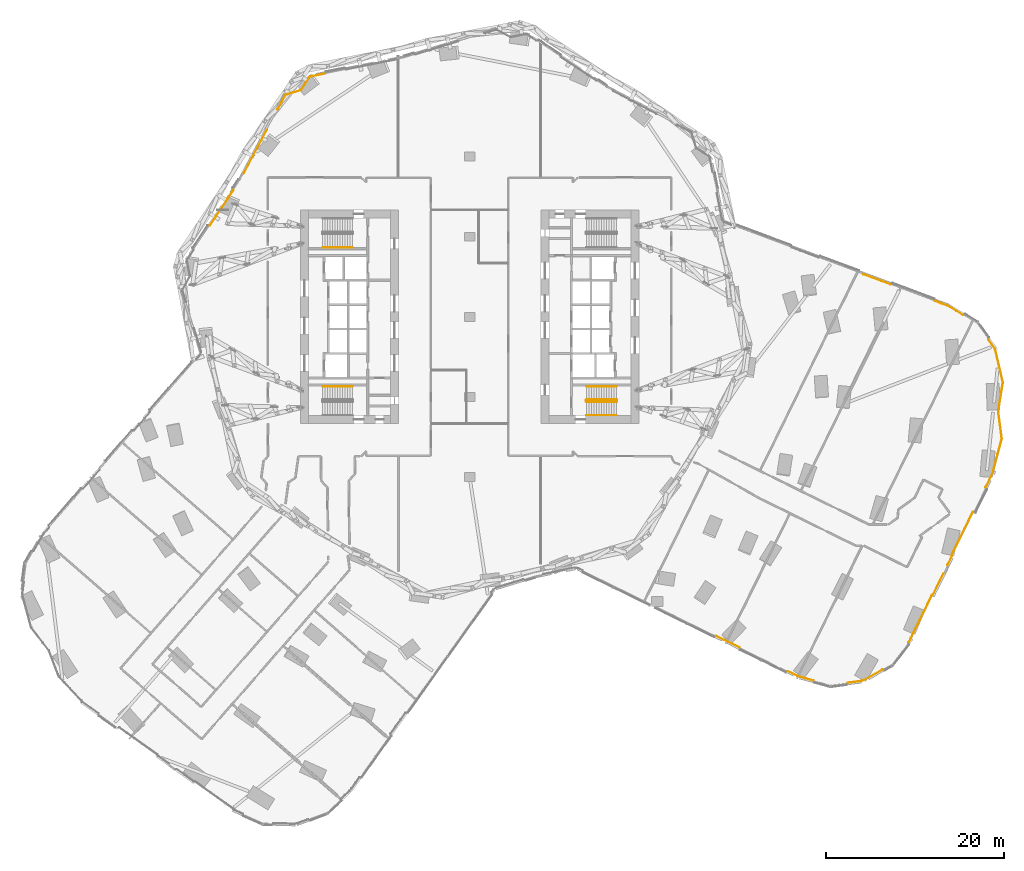
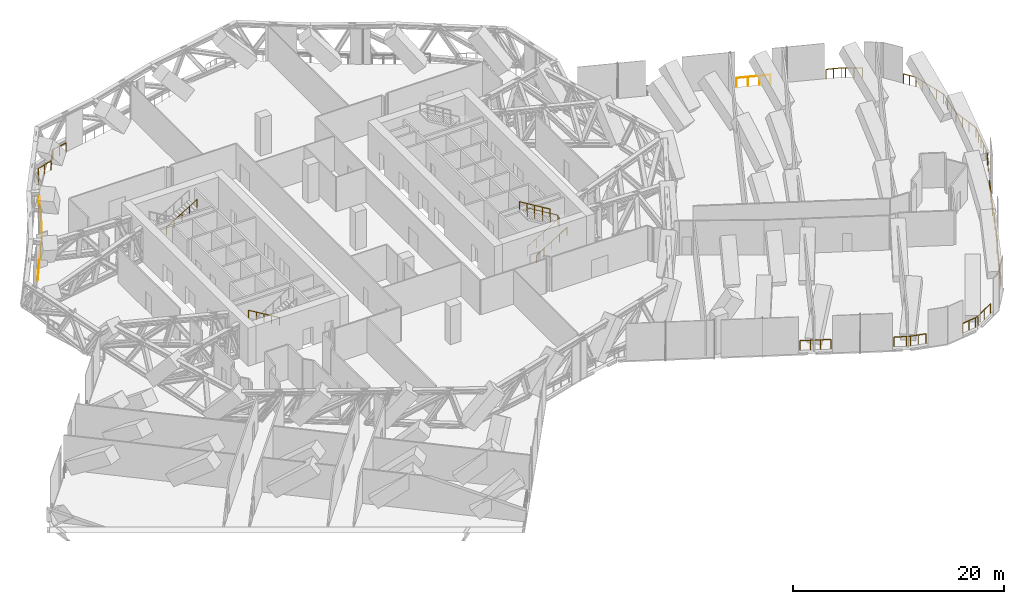
# One storey, part 33 of 34: 18 railings.
"""IFC4 building model written with IfcOpenShell, lengths in metres."""

from ifc_helpers import new_model, si_unit, direction, frame, origin, origin_2d, place, context, subcontext, project, spatial, circle, extrude, material, type_object, element, save


model = new_model("IFC4")

# Units and contexts
model_context = context("Model", 3, precision=1e-05, world=origin(), true_north=direction((0.0, 1.0)))
body_context = subcontext(model_context, "Body", "Model", "MODEL_VIEW")
ifc_project = project(units=[si_unit("LENGTHUNIT", "METRE"), si_unit("AREAUNIT", "SQUARE_METRE"), si_unit("VOLUMEUNIT", "CUBIC_METRE"), si_unit("PLANEANGLEUNIT", "RADIAN"), si_unit("MASSUNIT", "GRAM", prefix="KILO")], contexts=[model_context])

# Site, building, storey
site_placement = place(None, origin())
site = spatial("IfcSite", under=ifc_project, at=site_placement, CompositionType="ELEMENT")
building_placement = place(site_placement, origin())
building = spatial("IfcBuilding", under=site, at=building_placement, Name="Orlundy Tower", CompositionType="ELEMENT")
storey_placement = place(building_placement, frame((0.0, 0.0, 76.300048828125)))
storey = spatial("IfcBuildingStorey", under=building, at=storey_placement, Name="L18", CompositionType="ELEMENT", Elevation=76.300048828125)

# Railings
ifc_material_1 = material(Name="Steel balustrade", Category="steel")
railing_type_1 = type_object("IfcRailingType", Name="Stair Guard 1100", PredefinedType="GUARDRAIL", material=ifc_material_1)
railing_1_placement = place(storey_placement, frame((13.090087890625, -9.5, 0.0)))
element("IfcRailing", 1, at=railing_1_placement, inside=storey, type_object=railing_type_1, Name="L18 ST-E1 stair guard 1", PredefinedType="GUARDRAIL", context=body_context, shape_type="SweptSolid", body=[
    extrude(circle(Radius=0.02392578125, at=origin_2d()), frame((0.0, 0.0, 1.076171875), z_axis=(0.0, 1.0, 0.0), x_axis=(-1.0, 0.0, 0.0)), (0.0, 0.0, 1.0), 0.14990234375),
    extrude(circle(Radius=0.02392578125, at=origin_2d()), frame((0.0, 0.14990234375, 1.076171875), z_axis=(0.186800498525, -0.749949060256, 0.634572281755), x_axis=(0.970351222016, 0.241699205484, 0.0)), (0.0, 0.0, 1.0), 0.2666015625),
    extrude(circle(Radius=0.02392578125, at=origin_2d()), frame((0.0498046875, -0.050048828125, 1.2451171875), z_axis=(0.855836976705, 0.0, 0.517245656632), x_axis=(0.0, 1.0, 0.0)), (0.0, 0.0, 1.0), 3.926025390625),
    extrude(circle(Radius=0.02392578125, at=origin_2d()), frame((3.409912109375, -0.050048828125, 3.27587890625), z_axis=(0.707106781187, 0.707106781187, 0.0), x_axis=(-0.707106781187, 0.707106781187, 0.0)), (0.0, 0.0, 1.0), 0.07080078125),
    extrude(circle(Radius=0.02392578125, at=origin_2d()), frame((3.4599609375, 0.0, 3.27587890625), z_axis=(0.0, 1.0, 0.0), x_axis=(-1.0, 0.0, 0.0)), (0.0, 0.0, 1.0), 0.14990234375),
    extrude(circle(Radius=0.02392578125, at=origin_2d()), frame((3.4599609375, 0.14990234375, 3.27587890625), z_axis=(-0.272897288611, 0.272897288611, 0.922525956132), x_axis=(-0.707106781187, -0.707106781187, 0.0)), (0.0, 0.0, 1.0), 0.183349609375),
    extrude(circle(Radius=0.02392578125, at=origin_2d()), frame((3.409912109375, 0.199951171875, 3.4453125), z_axis=(-0.855836976705, 0.0, 0.517245656632), x_axis=(0.0, -1.0, 0.0)), (0.0, 0.0, 1.0), 3.926025390625),
    extrude(circle(Radius=0.02099609375, at=origin_2d()), origin(), (0.0, 0.0, 1.0), 1.052001953125),
    extrude(circle(Radius=0.02099609375, at=origin_2d()), frame((0.0, 0.14990234375, 0.0)), (0.0, 0.0, 1.0), 1.052001953125),
    extrude(circle(Radius=0.02099609375, at=origin_2d()), frame((0.0498046875, -0.050048828125, 0.169189453125)), (0.0, 0.0, 1.0), 1.052001953125),
    extrude(circle(Radius=0.02099609375, at=origin_2d()), frame((0.889892578125, -0.050048828125, 0.6767578125)), (0.0, 0.0, 1.0), 1.052001953125),
    extrude(circle(Radius=0.02099609375, at=origin_2d()), frame((1.72998046875, -0.050048828125, 1.1845703125)), (0.0, 0.0, 1.0), 1.052001953125),
    extrude(circle(Radius=0.02099609375, at=origin_2d()), frame((2.56982421875, -0.050048828125, 1.6923828125)), (0.0, 0.0, 1.0), 1.052001953125),
    extrude(circle(Radius=0.02099609375, at=origin_2d()), frame((3.409912109375, -0.050048828125, 2.199951171875)), (0.0, 0.0, 1.0), 1.052001953125),
    extrude(circle(Radius=0.02099609375, at=origin_2d()), frame((3.4599609375, 0.0, 2.199951171875)), (0.0, 0.0, 1.0), 1.052001953125),
    extrude(circle(Radius=0.02099609375, at=origin_2d()), frame((3.4599609375, 0.14990234375, 2.199951171875)), (0.0, 0.0, 1.0), 1.052001953125),
    extrude(circle(Radius=0.02099609375, at=origin_2d()), frame((3.409912109375, 0.199951171875, 2.369140625)), (0.0, 0.0, 1.0), 1.052001953125),
    extrude(circle(Radius=0.02099609375, at=origin_2d()), frame((2.56982421875, 0.199951171875, 2.876953125)), (0.0, 0.0, 1.0), 1.052001953125),
    extrude(circle(Radius=0.02099609375, at=origin_2d()), frame((1.72998046875, 0.199951171875, 3.384521484375)), (0.0, 0.0, 1.0), 1.052001953125),
    extrude(circle(Radius=0.02099609375, at=origin_2d()), frame((0.889892578125, 0.199951171875, 3.89208984375)), (0.0, 0.0, 1.0), 1.052001953125),
    extrude(circle(Radius=0.02099609375, at=origin_2d()), frame((0.0498046875, 0.199951171875, 4.39990234375)), (0.0, 0.0, 1.0), 1.052001953125),
])
ifc_material_2 = material(Name="Steel handrail", Category="steel")
railing_type_2 = type_object("IfcRailingType", Name="Stair Handrail 900", PredefinedType="HANDRAIL", material=ifc_material_2)
railing_2_placement = place(storey_placement, frame((-16.5, 7.800048828125, 2.369140625)))
element("IfcRailing", 2, at=railing_2_placement, inside=storey, type_object=railing_type_2, Name="L18 ST-W1 stair handrail 2", PredefinedType="HANDRAIL", context=body_context, shape_type="SweptSolid", body=[
    extrude(circle(Radius=0.02392578125, at=origin_2d()), frame((0.0, 0.0, 0.8759765625), z_axis=(0.855836976705, 0.0, 0.517245656632), x_axis=(0.0, 1.0, 0.0)), (0.0, 0.0, 1.0), 3.926025390625),
    extrude(circle(Radius=0.02099609375, at=origin_2d()), origin(), (0.0, 0.0, 1.0), 0.851806640625),
    extrude(circle(Radius=0.02099609375, at=origin_2d()), frame((0.840087890625, 0.0, 0.5078125)), (0.0, 0.0, 1.0), 0.851806640625),
    extrude(circle(Radius=0.02099609375, at=origin_2d()), frame((1.68017578125, 0.0, 1.015380859375)), (0.0, 0.0, 1.0), 0.851806640625),
    extrude(circle(Radius=0.02099609375, at=origin_2d()), frame((2.52001953125, 0.0, 1.52294921875)), (0.0, 0.0, 1.0), 0.851806640625),
    extrude(circle(Radius=0.02099609375, at=origin_2d()), frame((3.360107421875, 0.0, 2.03076171875)), (0.0, 0.0, 1.0), 0.851806640625),
])
railing_3_placement = place(storey_placement, frame((-13.139892578125, -7.800048828125, 0.169189453125)))
element("IfcRailing", 3, at=railing_3_placement, inside=storey, type_object=railing_type_2, Name="L18 ST-W2 stair handrail 1", PredefinedType="HANDRAIL", context=body_context, shape_type="SweptSolid", body=[
    extrude(circle(Radius=0.02392578125, at=origin_2d()), frame((0.0, 0.0, 0.8759765625), z_axis=(-0.855836976705, 0.0, 0.517245656632), x_axis=(0.0, -1.0, 0.0)), (0.0, 0.0, 1.0), 3.926025390625),
    extrude(circle(Radius=0.02099609375, at=origin_2d()), origin(), (0.0, 0.0, 1.0), 0.851806640625),
    extrude(circle(Radius=0.02099609375, at=origin_2d()), frame((-0.840087890625, 0.0, 0.5078125)), (0.0, 0.0, 1.0), 0.851806640625),
    extrude(circle(Radius=0.02099609375, at=origin_2d()), frame((-1.68017578125, 0.0, 1.015380859375)), (0.0, 0.0, 1.0), 0.851806640625),
    extrude(circle(Radius=0.02099609375, at=origin_2d()), frame((-2.52001953125, 0.0, 1.52294921875)), (0.0, 0.0, 1.0), 0.851806640625),
    extrude(circle(Radius=0.02099609375, at=origin_2d()), frame((-3.360107421875, 0.0, 2.03076171875)), (0.0, 0.0, 1.0), 0.851806640625),
])
railing_4_placement = place(storey_placement, frame((13.139892578125, -11.050048828125, 0.169189453125)))
element("IfcRailing", 4, at=railing_4_placement, inside=storey, type_object=railing_type_2, Name="L18 ST-E1 stair handrail 1", PredefinedType="HANDRAIL", context=body_context, shape_type="SweptSolid", body=[
    extrude(circle(Radius=0.02392578125, at=origin_2d()), frame((0.0, 0.0, 0.8759765625), z_axis=(0.855836976705, 0.0, 0.517245656632), x_axis=(0.0, 1.0, 0.0)), (0.0, 0.0, 1.0), 3.926025390625),
    extrude(circle(Radius=0.02099609375, at=origin_2d()), origin(), (0.0, 0.0, 1.0), 0.851806640625),
    extrude(circle(Radius=0.02099609375, at=origin_2d()), frame((0.840087890625, 0.0, 0.5078125)), (0.0, 0.0, 1.0), 0.851806640625),
    extrude(circle(Radius=0.02099609375, at=origin_2d()), frame((1.68017578125, 0.0, 1.015380859375)), (0.0, 0.0, 1.0), 0.851806640625),
    extrude(circle(Radius=0.02099609375, at=origin_2d()), frame((2.52001953125, 0.0, 1.52294921875)), (0.0, 0.0, 1.0), 0.851806640625),
    extrude(circle(Radius=0.02099609375, at=origin_2d()), frame((3.360107421875, 0.0, 2.03076171875)), (0.0, 0.0, 1.0), 0.851806640625),
])
railing_5_placement = place(storey_placement, frame((16.5, -7.800048828125, 2.369140625)))
element("IfcRailing", 5, at=railing_5_placement, inside=storey, type_object=railing_type_2, Name="L18 ST-E1 stair handrail 2", PredefinedType="HANDRAIL", context=body_context, shape_type="SweptSolid", body=[
    extrude(circle(Radius=0.02392578125, at=origin_2d()), frame((0.0, 0.0, 0.8759765625), z_axis=(-0.855836976705, 0.0, 0.517245656632), x_axis=(0.0, -1.0, 0.0)), (0.0, 0.0, 1.0), 3.926025390625),
    extrude(circle(Radius=0.02099609375, at=origin_2d()), origin(), (0.0, 0.0, 1.0), 0.851806640625),
    extrude(circle(Radius=0.02099609375, at=origin_2d()), frame((-0.840087890625, 0.0, 0.5078125)), (0.0, 0.0, 1.0), 0.851806640625),
    extrude(circle(Radius=0.02099609375, at=origin_2d()), frame((-1.68017578125, 0.0, 1.015380859375)), (0.0, 0.0, 1.0), 0.851806640625),
    extrude(circle(Radius=0.02099609375, at=origin_2d()), frame((-2.52001953125, 0.0, 1.52294921875)), (0.0, 0.0, 1.0), 0.851806640625),
    extrude(circle(Radius=0.02099609375, at=origin_2d()), frame((-3.360107421875, 0.0, 2.03076171875)), (0.0, 0.0, 1.0), 0.851806640625),
])
ifc_material_3 = material(Name="Stainless steel bronze finish", Category="steel")
railing_type_3 = type_object("IfcRailingType", Name="TG1 terrace guard", PredefinedType="GUARDRAIL", material=ifc_material_3)
railing_6_placement = place(storey_placement, frame((53.191650390625, -28.843505859375, 0.0)))
element("IfcRailing", 6, at=railing_6_placement, inside=storey, type_object=railing_type_3, Name="Guard TG-L18-E01", PredefinedType="GUARDRAIL", context=body_context, shape_type="SweptSolid", body=[
    extrude(circle(Radius=0.02490234375, at=origin_2d()), frame((0.0, 0.0, 1.09521484375), z_axis=(-0.441013227541, -0.897500603417, 0.0), x_axis=(0.897500603417, -0.441013227541, 0.0)), (0.0, 0.0, 1.0), 2.619140625),
    extrude(circle(Radius=0.02490234375, at=origin_2d()), frame((-1.155029296875, -2.3505859375, 1.09521484375), z_axis=(-0.742956162059, -0.669340078928, 0.0), x_axis=(0.669340078928, -0.742956162059, 0.0)), (0.0, 0.0, 1.0), 0.215576171875),
    extrude(circle(Radius=0.02490234375, at=origin_2d()), frame((-1.315185546875, -2.494873046875, 1.09521484375), z_axis=(-0.441008383538, -0.897502983644, 0.0), x_axis=(0.897502983644, -0.441008383538, 0.0)), (0.0, 0.0, 1.0), 5.249755859375),
    extrude(circle(Radius=0.02490234375, at=origin_2d()), frame((-3.63037109375, -7.20654296875, 1.09521484375), z_axis=(-0.236577549467, -0.971612609577, 0.0), x_axis=(0.971612609577, -0.236577549467, 0.0)), (0.0, 0.0, 1.0), 0.19287109375),
    extrude(circle(Radius=0.02490234375, at=origin_2d()), frame((-3.676025390625, -7.39404296875, 1.09521484375), z_axis=(-0.607380451201, -0.794411094773, 0.0), x_axis=(0.794411094773, -0.607380451201, 0.0)), (0.0, 0.0, 1.0), 0.390380859375),
    extrude(circle(Radius=0.02001953125, at=origin_2d()), origin(), (0.0, 0.0, 1.0), 1.070068359375),
    extrude(circle(Radius=0.02001953125, at=origin_2d()), frame((-0.385009765625, -0.783447265625, 0.0)), (0.0, 0.0, 1.0), 1.070068359375),
    extrude(circle(Radius=0.02001953125, at=origin_2d()), frame((-0.77001953125, -1.567138671875, 0.0)), (0.0, 0.0, 1.0), 1.070068359375),
    extrude(circle(Radius=0.02001953125, at=origin_2d()), frame((-1.155029296875, -2.3505859375, 0.0)), (0.0, 0.0, 1.0), 1.070068359375),
    extrude(circle(Radius=0.02001953125, at=origin_2d()), frame((-1.315185546875, -2.494873046875, 0.0)), (0.0, 0.0, 1.0), 1.070068359375),
    extrude(circle(Radius=0.02001953125, at=origin_2d()), frame((-1.7783203125, -3.437255859375, 0.0)), (0.0, 0.0, 1.0), 1.070068359375),
    extrude(circle(Radius=0.02001953125, at=origin_2d()), frame((-2.2412109375, -4.379638671875, 0.0)), (0.0, 0.0, 1.0), 1.070068359375),
    extrude(circle(Radius=0.02001953125, at=origin_2d()), frame((-2.704345703125, -5.32177734375, 0.0)), (0.0, 0.0, 1.0), 1.070068359375),
    extrude(circle(Radius=0.02001953125, at=origin_2d()), frame((-3.167236328125, -6.26416015625, 0.0)), (0.0, 0.0, 1.0), 1.070068359375),
    extrude(circle(Radius=0.02001953125, at=origin_2d()), frame((-3.63037109375, -7.20654296875, 0.0)), (0.0, 0.0, 1.0), 1.070068359375),
    extrude(circle(Radius=0.02001953125, at=origin_2d()), frame((-3.676025390625, -7.39404296875, 0.0)), (0.0, 0.0, 1.0), 1.070068359375),
    extrude(circle(Radius=0.02001953125, at=origin_2d()), frame((-3.9130859375, -7.7041015625, 0.0)), (0.0, 0.0, 1.0), 1.070068359375),
])
railing_7_placement = place(storey_placement, frame((-21.5537109375, 23.280029296875, 0.0)))
element("IfcRailing", 7, at=railing_7_placement, inside=storey, type_object=railing_type_3, Name="Guard TG-L18-E03", PredefinedType="GUARDRAIL", context=body_context, shape_type="SweptSolid", body=[
    extrude(circle(Radius=0.02490234375, at=origin_2d()), frame((0.0, 0.0, 1.09521484375), z_axis=(0.469334721466, 0.883020339079, 0.0), x_axis=(-0.883020339079, 0.469334721466, 0.0)), (0.0, 0.0, 1.0), 1.7900390625),
    extrude(circle(Radius=0.02490234375, at=origin_2d()), frame((0.840087890625, 1.58056640625, 1.09521484375), z_axis=(0.758419483099, 0.651766743288, 0.0), x_axis=(-0.651766743288, 0.758419483099, 0.0)), (0.0, 0.0, 1.0), 0.12353515625),
    extrude(circle(Radius=0.02490234375, at=origin_2d()), frame((0.933837890625, 1.6611328125, 1.09521484375), z_axis=(0.956347122764, 0.292233093235, 0.0), x_axis=(-0.292233093235, 0.956347122764, 0.0)), (0.0, 0.0, 1.0), 1.704345703125),
    extrude(circle(Radius=0.02490234375, at=origin_2d()), frame((2.563720703125, 2.1591796875, 1.09521484375), z_axis=(0.802166038209, 0.59710103596, 0.0), x_axis=(-0.59710103596, 0.802166038209, 0.0)), (0.0, 0.0, 1.0), 0.0810546875),
    extrude(circle(Radius=0.02490234375, at=origin_2d()), frame((2.628662109375, 2.20751953125, 1.09521484375), z_axis=(0.554336629411, 0.832292557514, 0.0), x_axis=(-0.832292557514, 0.554336629411, 0.0)), (0.0, 0.0, 1.0), 1.704833984375),
    extrude(circle(Radius=0.02490234375, at=origin_2d()), frame((3.57373046875, 3.62646484375, 1.09521484375), z_axis=(0.84194820491, 0.539558356667, 0.0), x_axis=(-0.539558356667, 0.84194820491, 0.0)), (0.0, 0.0, 1.0), 0.12353515625),
    extrude(circle(Radius=0.02490234375, at=origin_2d()), frame((3.677734375, 3.693115234375, 1.09521484375), z_axis=(0.98051814142, 0.196428547686, 0.0), x_axis=(-0.196428547686, 0.98051814142, 0.0)), (0.0, 0.0, 1.0), 1.653076171875),
    extrude(circle(Radius=0.02001953125, at=origin_2d()), origin(), (0.0, 0.0, 1.0), 1.070068359375),
    extrude(circle(Radius=0.02001953125, at=origin_2d()), frame((0.419921875, 0.790283203125, 0.0)), (0.0, 0.0, 1.0), 1.070068359375),
    extrude(circle(Radius=0.02001953125, at=origin_2d()), frame((0.840087890625, 1.58056640625, 0.0)), (0.0, 0.0, 1.0), 1.070068359375),
    extrude(circle(Radius=0.02001953125, at=origin_2d()), frame((0.933837890625, 1.6611328125, 0.0)), (0.0, 0.0, 1.0), 1.070068359375),
    extrude(circle(Radius=0.02001953125, at=origin_2d()), frame((1.748779296875, 1.91015625, 0.0)), (0.0, 0.0, 1.0), 1.070068359375),
    extrude(circle(Radius=0.02001953125, at=origin_2d()), frame((2.563720703125, 2.1591796875, 0.0)), (0.0, 0.0, 1.0), 1.070068359375),
    extrude(circle(Radius=0.02001953125, at=origin_2d()), frame((2.628662109375, 2.20751953125, 0.0)), (0.0, 0.0, 1.0), 1.070068359375),
    extrude(circle(Radius=0.02001953125, at=origin_2d()), frame((3.10107421875, 2.9169921875, 0.0)), (0.0, 0.0, 1.0), 1.070068359375),
    extrude(circle(Radius=0.02001953125, at=origin_2d()), frame((3.57373046875, 3.62646484375, 0.0)), (0.0, 0.0, 1.0), 1.070068359375),
    extrude(circle(Radius=0.02001953125, at=origin_2d()), frame((3.677734375, 3.693115234375, 0.0)), (0.0, 0.0, 1.0), 1.070068359375),
    extrude(circle(Radius=0.02001953125, at=origin_2d()), frame((4.48828125, 3.85546875, 0.0)), (0.0, 0.0, 1.0), 1.070068359375),
    extrude(circle(Radius=0.02001953125, at=origin_2d()), frame((5.298583984375, 4.017822265625, 0.0)), (0.0, 0.0, 1.0), 1.070068359375),
])
railing_8_placement = place(storey_placement, frame((56.507080078125, -21.914794921875, 0.0)))
element("IfcRailing", 8, at=railing_8_placement, inside=storey, type_object=railing_type_3, Name="Guard TG-L18-E05", PredefinedType="GUARDRAIL", context=body_context, shape_type="SweptSolid", body=[
    extrude(circle(Radius=0.02490234375, at=origin_2d()), frame((0.0, 0.0, 1.09521484375), z_axis=(-0.440989977178, -0.89751202779, 0.0), x_axis=(0.89751202779, -0.440989977178, 0.0)), (0.0, 0.0, 1.0), 5.25),
    extrude(circle(Radius=0.02490234375, at=origin_2d()), frame((-2.315185546875, -4.7119140625, 1.09521484375), z_axis=(-0.0771301821, -0.997021030375, 0.0), x_axis=(0.997021030375, -0.0771301821, 0.0)), (0.0, 0.0, 1.0), 0.21533203125),
    extrude(circle(Radius=0.02490234375, at=origin_2d()), frame((-2.331787109375, -4.926513671875, 1.09521484375), z_axis=(-0.440937237677, -0.897537939271, 0.0), x_axis=(0.897537939271, -0.440937237677, 0.0)), (0.0, 0.0, 1.0), 1.137939453125),
    extrude(circle(Radius=0.02001953125, at=origin_2d()), origin(), (0.0, 0.0, 1.0), 1.070068359375),
    extrude(circle(Radius=0.02001953125, at=origin_2d()), frame((-0.463134765625, -0.9423828125, 0.0)), (0.0, 0.0, 1.0), 1.070068359375),
    extrude(circle(Radius=0.02001953125, at=origin_2d()), frame((-0.926025390625, -1.884765625, 0.0)), (0.0, 0.0, 1.0), 1.070068359375),
    extrude(circle(Radius=0.02001953125, at=origin_2d()), frame((-1.38916015625, -2.8271484375, 0.0)), (0.0, 0.0, 1.0), 1.070068359375),
    extrude(circle(Radius=0.02001953125, at=origin_2d()), frame((-1.85205078125, -3.76953125, 0.0)), (0.0, 0.0, 1.0), 1.070068359375),
    extrude(circle(Radius=0.02001953125, at=origin_2d()), frame((-2.315185546875, -4.7119140625, 0.0)), (0.0, 0.0, 1.0), 1.070068359375),
    extrude(circle(Radius=0.02001953125, at=origin_2d()), frame((-2.331787109375, -4.926513671875, 0.0)), (0.0, 0.0, 1.0), 1.070068359375),
    extrude(circle(Radius=0.02001953125, at=origin_2d()), frame((-2.83349609375, -5.94775390625, 0.0)), (0.0, 0.0, 1.0), 1.070068359375),
])
railing_9_placement = place(storey_placement, frame((59.8828125, -7.348388671875, 0.0)))
element("IfcRailing", 9, at=railing_9_placement, inside=storey, type_object=railing_type_3, Name="Guard TG-L18-E07", PredefinedType="GUARDRAIL", context=body_context, shape_type="SweptSolid", body=[
    extrude(circle(Radius=0.02490234375, at=origin_2d()), frame((0.0, 0.0, 1.09521484375), z_axis=(-0.160709392613, -0.987001768553, 0.0), x_axis=(0.987001768553, -0.160709392613, 0.0)), (0.0, 0.0, 1.0), 3.273681640625),
    extrude(circle(Radius=0.02490234375, at=origin_2d()), frame((-0.526123046875, -3.231201171875, 1.09521484375), z_axis=(0.130180644256, -0.991490292369, 0.0), x_axis=(0.991490292369, 0.130180644256, 0.0)), (0.0, 0.0, 1.0), 3.11328125),
    extrude(circle(Radius=0.02001953125, at=origin_2d()), origin(), (0.0, 0.0, 1.0), 1.070068359375),
    extrude(circle(Radius=0.02001953125, at=origin_2d()), frame((-0.17529296875, -1.0771484375, 0.0)), (0.0, 0.0, 1.0), 1.070068359375),
    extrude(circle(Radius=0.02001953125, at=origin_2d()), frame((-0.350830078125, -2.154052734375, 0.0)), (0.0, 0.0, 1.0), 1.070068359375),
    extrude(circle(Radius=0.02001953125, at=origin_2d()), frame((-0.526123046875, -3.231201171875, 0.0)), (0.0, 0.0, 1.0), 1.070068359375),
    extrude(circle(Radius=0.02001953125, at=origin_2d()), frame((-0.39111328125, -4.260009765625, 0.0)), (0.0, 0.0, 1.0), 1.070068359375),
    extrude(circle(Radius=0.02001953125, at=origin_2d()), frame((-0.255859375, -5.2890625, 0.0)), (0.0, 0.0, 1.0), 1.070068359375),
    extrude(circle(Radius=0.02001953125, at=origin_2d()), frame((-0.120849609375, -6.31787109375, 0.0)), (0.0, 0.0, 1.0), 1.070068359375),
])
railing_10_placement = place(storey_placement, frame((59.761962890625, -13.666259765625, 0.0)))
element("IfcRailing", 10, at=railing_10_placement, inside=storey, type_object=railing_type_3, Name="Guard TG-L18-E011", PredefinedType="GUARDRAIL", context=body_context, shape_type="SweptSolid", body=[
    extrude(circle(Radius=0.02490234375, at=origin_2d()), frame((0.0, 0.0, 1.09521484375), z_axis=(-0.257402708794, -0.966304219956, 0.0), x_axis=(0.966304219956, -0.257402708794, 0.0)), (0.0, 0.0, 1.0), 3.682861328125),
    extrude(circle(Radius=0.02490234375, at=origin_2d()), frame((-0.947998046875, -3.558837890625, 1.09521484375), z_axis=(-0.041735755145, -0.999128683775, 0.0), x_axis=(0.999128683775, -0.041735755145, 0.0)), (0.0, 0.0, 1.0), 0.193115234375),
    extrude(circle(Radius=0.02490234375, at=origin_2d()), frame((-0.9560546875, -3.751708984375, 1.09521484375), z_axis=(-0.441015847237, -0.897499316148, 0.0), x_axis=(0.897499316148, -0.441015847237, 0.0)), (0.0, 0.0, 1.0), 1.94140625),
    extrude(circle(Radius=0.02001953125, at=origin_2d()), origin(), (0.0, 0.0, 1.0), 1.070068359375),
    extrude(circle(Radius=0.02001953125, at=origin_2d()), frame((-0.237060546875, -0.8896484375, 0.0)), (0.0, 0.0, 1.0), 1.070068359375),
    extrude(circle(Radius=0.02001953125, at=origin_2d()), frame((-0.47412109375, -1.779296875, 0.0)), (0.0, 0.0, 1.0), 1.070068359375),
    extrude(circle(Radius=0.02001953125, at=origin_2d()), frame((-0.7109375, -2.669189453125, 0.0)), (0.0, 0.0, 1.0), 1.070068359375),
    extrude(circle(Radius=0.02001953125, at=origin_2d()), frame((-0.947998046875, -3.558837890625, 0.0)), (0.0, 0.0, 1.0), 1.070068359375),
    extrude(circle(Radius=0.02001953125, at=origin_2d()), frame((-0.9560546875, -3.751708984375, 0.0)), (0.0, 0.0, 1.0), 1.070068359375),
    extrude(circle(Radius=0.02001953125, at=origin_2d()), frame((-1.38427734375, -4.623046875, 0.0)), (0.0, 0.0, 1.0), 1.070068359375),
    extrude(circle(Radius=0.02001953125, at=origin_2d()), frame((-1.812255859375, -5.494140625, 0.0)), (0.0, 0.0, 1.0), 1.070068359375),
])
railing_11_placement = place(storey_placement, frame((-25.35009765625, 16.138916015625, 0.0)))
element("IfcRailing", 11, at=railing_11_placement, inside=storey, type_object=railing_type_3, Name="Guard TG-L18-E013", PredefinedType="GUARDRAIL", context=body_context, shape_type="SweptSolid", body=[
    extrude(circle(Radius=0.02490234375, at=origin_2d()), frame((0.0, 0.0, 1.09521484375), z_axis=(0.469376823049, 0.882997960351, 0.0), x_axis=(-0.882997960351, 0.469376823049, 0.0)), (0.0, 0.0, 1.0), 5.504150390625),
    extrude(circle(Radius=0.02001953125, at=origin_2d()), origin(), (0.0, 0.0, 1.0), 1.070068359375),
    extrude(circle(Radius=0.02001953125, at=origin_2d()), frame((0.5166015625, 0.971923828125, 0.0)), (0.0, 0.0, 1.0), 1.070068359375),
    extrude(circle(Radius=0.02001953125, at=origin_2d()), frame((1.033447265625, 1.944091796875, 0.0)), (0.0, 0.0, 1.0), 1.070068359375),
    extrude(circle(Radius=0.02001953125, at=origin_2d()), frame((1.550048828125, 2.916015625, 0.0)), (0.0, 0.0, 1.0), 1.070068359375),
    extrude(circle(Radius=0.02001953125, at=origin_2d()), frame((2.06689453125, 3.88818359375, 0.0)), (0.0, 0.0, 1.0), 1.070068359375),
    extrude(circle(Radius=0.02001953125, at=origin_2d()), frame((2.58349609375, 4.860107421875, 0.0)), (0.0, 0.0, 1.0), 1.070068359375),
])
railing_12_placement = place(storey_placement, frame((58.252685546875, -2.55029296875, 0.0)))
element("IfcRailing", 12, at=railing_12_placement, inside=storey, type_object=railing_type_3, Name="Guard TG-L18-E016", PredefinedType="GUARDRAIL", context=body_context, shape_type="SweptSolid", body=[
    extrude(circle(Radius=0.02490234375, at=origin_2d()), frame((0.0, 0.0, 1.09521484375), z_axis=(0.583975448862, -0.811771319478, 0.0), x_axis=(0.811771319478, 0.583975448862, 0.0)), (0.0, 0.0, 1.0), 1.289306640625),
    extrude(circle(Radius=0.02490234375, at=origin_2d()), frame((0.7529296875, -1.046630859375, 1.09521484375), z_axis=(0.227686331229, -0.973734529824, 0.0), x_axis=(0.973734529824, 0.227686331229, 0.0)), (0.0, 0.0, 1.0), 3.8525390625),
    extrude(circle(Radius=0.02001953125, at=origin_2d()), origin(), (0.0, 0.0, 1.0), 1.070068359375),
    extrude(circle(Radius=0.02001953125, at=origin_2d()), frame((0.37646484375, -0.5234375, 0.0)), (0.0, 0.0, 1.0), 1.070068359375),
    extrude(circle(Radius=0.02001953125, at=origin_2d()), frame((0.7529296875, -1.046630859375, 0.0)), (0.0, 0.0, 1.0), 1.070068359375),
    extrude(circle(Radius=0.02001953125, at=origin_2d()), frame((0.97216796875, -1.984375, 0.0)), (0.0, 0.0, 1.0), 1.070068359375),
    extrude(circle(Radius=0.02001953125, at=origin_2d()), frame((1.19140625, -2.92236328125, 0.0)), (0.0, 0.0, 1.0), 1.070068359375),
    extrude(circle(Radius=0.02001953125, at=origin_2d()), frame((1.410888671875, -3.8603515625, 0.0)), (0.0, 0.0, 1.0), 1.070068359375),
    extrude(circle(Radius=0.02001953125, at=origin_2d()), frame((1.630126953125, -4.798095703125, 0.0)), (0.0, 0.0, 1.0), 1.070068359375),
])
railing_13_placement = place(storey_placement, frame((-29.1591796875, 10.266845703125, 0.0)))
element("IfcRailing", 13, at=railing_13_placement, inside=storey, type_object=railing_type_3, Name="Guard TG-L18-E018", PredefinedType="GUARDRAIL", context=body_context, shape_type="SweptSolid", body=[
    extrude(circle(Radius=0.02490234375, at=origin_2d()), frame((0.0, 0.0, 1.09521484375), z_axis=(0.554369030392, 0.832270976391, 0.0), x_axis=(-0.832270976391, 0.554369030392, 0.0)), (0.0, 0.0, 1.0), 4.76416015625),
    extrude(circle(Radius=0.02001953125, at=origin_2d()), origin(), (0.0, 0.0, 1.0), 1.070068359375),
    extrude(circle(Radius=0.02001953125, at=origin_2d()), frame((0.66015625, 0.9912109375, 0.0)), (0.0, 0.0, 1.0), 1.070068359375),
    extrude(circle(Radius=0.02001953125, at=origin_2d()), frame((1.320556640625, 1.982421875, 0.0)), (0.0, 0.0, 1.0), 1.070068359375),
    extrude(circle(Radius=0.02001953125, at=origin_2d()), frame((1.98095703125, 2.973876953125, 0.0)), (0.0, 0.0, 1.0), 1.070068359375),
    extrude(circle(Radius=0.02001953125, at=origin_2d()), frame((2.64111328125, 3.965087890625, 0.0)), (0.0, 0.0, 1.0), 1.070068359375),
])
railing_14_placement = place(storey_placement, frame((46.38037109375, -39.601318359375, 0.0)))
element("IfcRailing", 14, at=railing_14_placement, inside=storey, type_object=railing_type_3, Name="Guard TG-L18-E021", PredefinedType="GUARDRAIL", context=body_context, shape_type="SweptSolid", body=[
    extrude(circle(Radius=0.02490234375, at=origin_2d()), frame((0.0, 0.0, 1.09521484375), z_axis=(-0.865282860575, -0.501283922737, 0.0), x_axis=(0.501283922737, -0.865282860575, 0.0)), (0.0, 0.0, 1.0), 2.331298828125),
    extrude(circle(Radius=0.02490234375, at=origin_2d()), frame((-2.017333984375, -1.168701171875, 1.09521484375), z_axis=(-0.946257968919, -0.323412826364, 0.0), x_axis=(0.323412826364, -0.946257968919, 0.0)), (0.0, 0.0, 1.0), 0.376708984375),
    extrude(circle(Radius=0.02490234375, at=origin_2d()), frame((-2.373779296875, -1.29052734375, 1.09521484375), z_axis=(-0.991233394628, -0.132122508963, 0.0), x_axis=(0.132122508963, -0.991233394628, 0.0)), (0.0, 0.0, 1.0), 1.55224609375),
    extrude(circle(Radius=0.02001953125, at=origin_2d()), origin(), (0.0, 0.0, 1.0), 1.070068359375),
    extrude(circle(Radius=0.02001953125, at=origin_2d()), frame((-1.0087890625, -0.58447265625, 0.0)), (0.0, 0.0, 1.0), 1.070068359375),
    extrude(circle(Radius=0.02001953125, at=origin_2d()), frame((-2.017333984375, -1.168701171875, 0.0)), (0.0, 0.0, 1.0), 1.070068359375),
    extrude(circle(Radius=0.02001953125, at=origin_2d()), frame((-2.373779296875, -1.29052734375, 0.0)), (0.0, 0.0, 1.0), 1.070068359375),
    extrude(circle(Radius=0.02001953125, at=origin_2d()), frame((-3.14306640625, -1.39306640625, 0.0)), (0.0, 0.0, 1.0), 1.070068359375),
    extrude(circle(Radius=0.02001953125, at=origin_2d()), frame((-3.912353515625, -1.49560546875, 0.0)), (0.0, 0.0, 1.0), 1.070068359375),
])
railing_15_placement = place(storey_placement, frame((52.274658203125, 1.764892578125, 0.0)))
element("IfcRailing", 15, at=railing_15_placement, inside=storey, type_object=railing_type_3, Name="Guard TG-L18-E026", PredefinedType="GUARDRAIL", context=body_context, shape_type="SweptSolid", body=[
    extrude(circle(Radius=0.02490234375, at=origin_2d()), frame((0.0, 0.0, 1.09521484375), z_axis=(0.93666682647, -0.350221724326, 0.0), x_axis=(0.350221724326, 0.93666682647, 0.0)), (0.0, 0.0, 1.0), 1.4541015625),
    extrude(circle(Radius=0.02490234375, at=origin_2d()), frame((1.362060546875, -0.50927734375, 1.09521484375), z_axis=(0.897780074848, -0.440444022783, 0.0), x_axis=(0.440444022783, 0.897780074848, 0.0)), (0.0, 0.0, 1.0), 0.39013671875),
    extrude(circle(Radius=0.02490234375, at=origin_2d()), frame((1.71240234375, -0.68115234375, 1.09521484375), z_axis=(0.850424367855, -0.526097324227, 0.0), x_axis=(0.526097324227, 0.850424367855, 0.0)), (0.0, 0.0, 1.0), 1.633544921875),
    extrude(circle(Radius=0.02001953125, at=origin_2d()), origin(), (0.0, 0.0, 1.0), 1.070068359375),
    extrude(circle(Radius=0.02001953125, at=origin_2d()), frame((0.68115234375, -0.254638671875, 0.0)), (0.0, 0.0, 1.0), 1.070068359375),
    extrude(circle(Radius=0.02001953125, at=origin_2d()), frame((1.362060546875, -0.50927734375, 0.0)), (0.0, 0.0, 1.0), 1.070068359375),
    extrude(circle(Radius=0.02001953125, at=origin_2d()), frame((1.71240234375, -0.68115234375, 0.0)), (0.0, 0.0, 1.0), 1.070068359375),
    extrude(circle(Radius=0.02001953125, at=origin_2d()), frame((2.406982421875, -1.11083984375, 0.0)), (0.0, 0.0, 1.0), 1.070068359375),
    extrude(circle(Radius=0.02001953125, at=origin_2d()), frame((3.1015625, -1.54052734375, 0.0)), (0.0, 0.0, 1.0), 1.070068359375),
])
railing_16_placement = place(storey_placement, frame((44.21337890625, 4.778564453125, 0.0)))
element("IfcRailing", 16, at=railing_16_placement, inside=storey, type_object=railing_type_3, Name="Guard TG-L18-E027", PredefinedType="GUARDRAIL", context=body_context, shape_type="SweptSolid", body=[
    extrude(circle(Radius=0.02490234375, at=origin_2d()), frame((0.0, 0.0, 1.09521484375), z_axis=(0.936684779961, -0.350173704024, 0.0), x_axis=(0.350173704024, 0.936684779961, 0.0)), (0.0, 0.0, 1.0), 3.2685546875),
    extrude(circle(Radius=0.02001953125, at=origin_2d()), origin(), (0.0, 0.0, 1.0), 1.070068359375),
    extrude(circle(Radius=0.02001953125, at=origin_2d()), frame((1.0205078125, -0.381591796875, 0.0)), (0.0, 0.0, 1.0), 1.070068359375),
    extrude(circle(Radius=0.02001953125, at=origin_2d()), frame((2.041015625, -0.762939453125, 0.0)), (0.0, 0.0, 1.0), 1.070068359375),
    extrude(circle(Radius=0.02001953125, at=origin_2d()), frame((3.0615234375, -1.14453125, 0.0)), (0.0, 0.0, 1.0), 1.070068359375),
])
railing_17_placement = place(storey_placement, frame((38.5986328125, -40.837158203125, 0.0)))
element("IfcRailing", 17, at=railing_17_placement, inside=storey, type_object=railing_type_3, Name="Guard TG-L18-E031", PredefinedType="GUARDRAIL", context=body_context, shape_type="SweptSolid", body=[
    extrude(circle(Radius=0.02490234375, at=origin_2d()), frame((0.0, 0.0, 1.09521484375), z_axis=(-0.966229504956, 0.257683029617, 0.0), x_axis=(-0.257683029617, -0.966229504956, 0.0)), (0.0, 0.0, 1.0), 1.4912109375),
    extrude(circle(Radius=0.02490234375, at=origin_2d()), frame((-1.44091796875, 0.38427734375, 1.09521484375), z_axis=(-0.936483235319, 0.350712346471, 0.0), x_axis=(-0.350712346471, -0.936483235319, 0.0)), (0.0, 0.0, 1.0), 0.390625),
    extrude(circle(Radius=0.02490234375, at=origin_2d()), frame((-1.806640625, 0.521240234375, 1.09521484375), z_axis=(-0.89753431665, 0.440944611528, 0.0), x_axis=(-0.440944611528, -0.89753431665, 0.0)), (0.0, 0.0, 1.0), 1.18603515625),
    extrude(circle(Radius=0.02001953125, at=origin_2d()), origin(), (0.0, 0.0, 1.0), 1.070068359375),
    extrude(circle(Radius=0.02001953125, at=origin_2d()), frame((-0.720458984375, 0.192138671875, 0.0)), (0.0, 0.0, 1.0), 1.070068359375),
    extrude(circle(Radius=0.02001953125, at=origin_2d()), frame((-1.44091796875, 0.38427734375, 0.0)), (0.0, 0.0, 1.0), 1.070068359375),
    extrude(circle(Radius=0.02001953125, at=origin_2d()), frame((-1.806640625, 0.521240234375, 0.0)), (0.0, 0.0, 1.0), 1.070068359375),
    extrude(circle(Radius=0.02001953125, at=origin_2d()), frame((-2.87109375, 1.044189453125, 0.0)), (0.0, 0.0, 1.0), 1.070068359375),
])
railing_18_placement = place(storey_placement, frame((30.330810546875, -37.141357421875, 0.0)))
element("IfcRailing", 18, at=railing_18_placement, inside=storey, type_object=railing_type_3, Name="Guard TG-L18-E032", PredefinedType="GUARDRAIL", context=body_context, shape_type="SweptSolid", body=[
    extrude(circle(Radius=0.02490234375, at=origin_2d()), frame((0.0, 0.0, 1.09521484375), z_axis=(-0.897524218835, 0.440965164842, 0.0), x_axis=(-0.440965164842, -0.897524218835, 0.0)), (0.0, 0.0, 1.0), 2.927734375),
    extrude(circle(Radius=0.02001953125, at=origin_2d()), origin(), (0.0, 0.0, 1.0), 1.070068359375),
    extrude(circle(Radius=0.02001953125, at=origin_2d()), frame((-0.8759765625, 0.430419921875, 0.0)), (0.0, 0.0, 1.0), 1.070068359375),
    extrude(circle(Radius=0.02001953125, at=origin_2d()), frame((-1.751708984375, 0.860595703125, 0.0)), (0.0, 0.0, 1.0), 1.070068359375),
    extrude(circle(Radius=0.02001953125, at=origin_2d()), frame((-2.627685546875, 1.291015625, 0.0)), (0.0, 0.0, 1.0), 1.070068359375),
])

save(model, "model.ifc")
